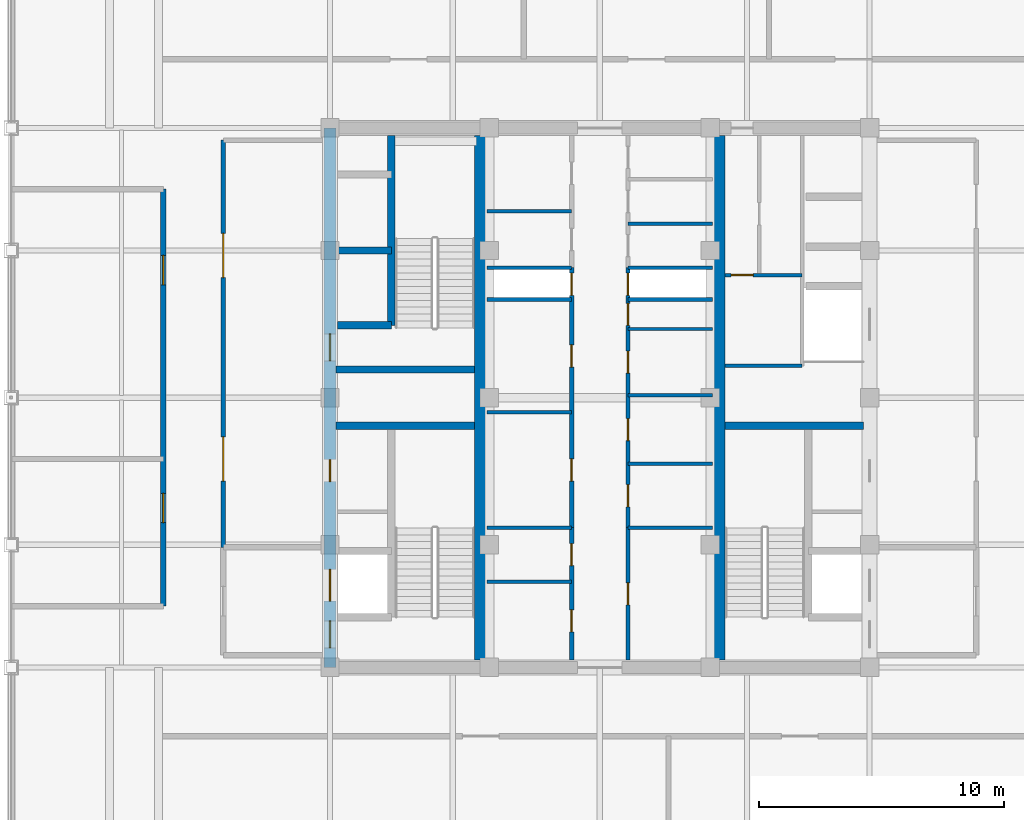
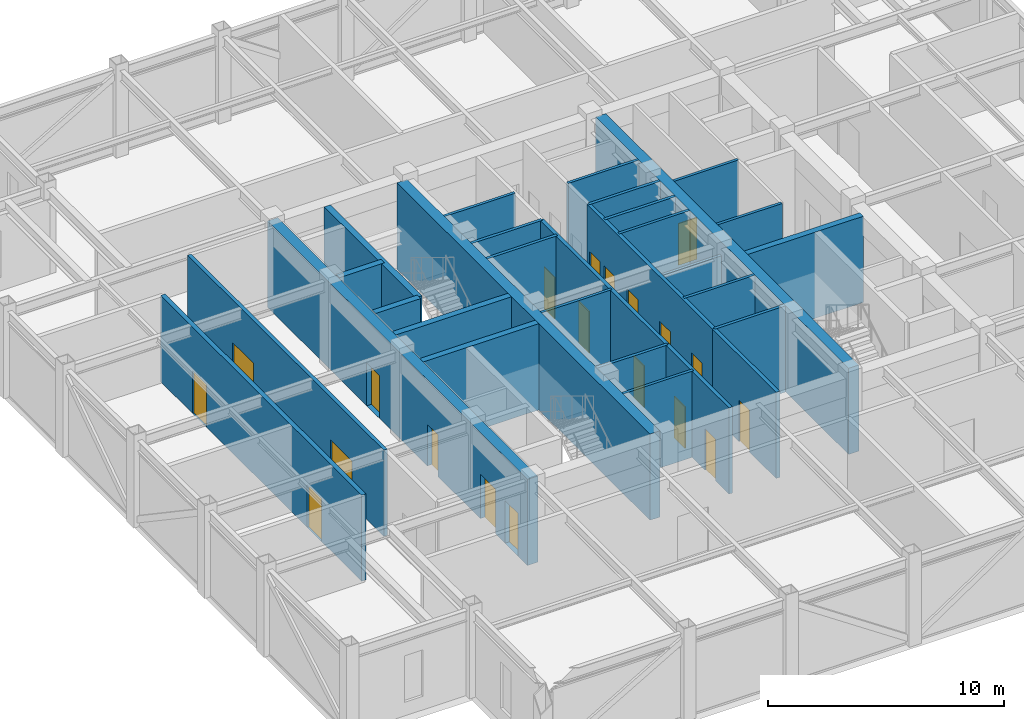
# One storey, part 24 of 27: 30 walls, 20 doors, 20 openings.
"""IFC4 building model written with IfcOpenShell, lengths in metres."""

from ifc_helpers import new_model, si_unit, direction, frame, frame_2d, origin, place, context, subcontext, project, spatial, rectangle, extrude, source, transform, mapped, material, layer, layer_set, type_object, element, fill, save


model = new_model("IFC4")

# Units and contexts
model_context = context("Model", 3, precision=1e-05, world=origin(), true_north=direction((0.0, 1.0)))
body_context = subcontext(model_context, "Body", "Model", "MODEL_VIEW")
ifc_project = project(units=[si_unit("LENGTHUNIT", "METRE"), si_unit("AREAUNIT", "SQUARE_METRE"), si_unit("VOLUMEUNIT", "CUBIC_METRE"), si_unit("PLANEANGLEUNIT", "RADIAN"), si_unit("MASSUNIT", "GRAM", prefix="KILO")], contexts=[model_context])

# Site, building, storey
site_placement = place(None, origin())
site = spatial("IfcSite", under=ifc_project, at=site_placement, CompositionType="ELEMENT")
building_placement = place(site_placement, origin())
building = spatial("IfcBuilding", under=site, at=building_placement, Name="Khorayat Bourse Tower", CompositionType="ELEMENT")
storey_placement = place(building_placement, frame((0.0, 0.0, 394.699951171875)))
storey = spatial("IfcBuildingStorey", under=building, at=storey_placement, Name="L93", CompositionType="ELEMENT", Elevation=394.699951171875)

# Wall, openings, doors
ifc_material_1 = material(Name="Concrete C52/65", Category="concrete")
ifc_layer_1 = layer(ifc_material_1, 0.5)
ifc_layer_set_1 = layer_set([ifc_layer_1], Name="Concrete C52/65")
wall_type_1 = type_object("IfcWallType", Name="WAL-CORE-500", PredefinedType="SHEAR", material=ifc_layer_set_1)
shared_shape_1 = source(origin(), body_context, "Body", "SweptSolid", [
    extrude(rectangle(XDim=22.0, YDim=0.5, at=frame_2d((11.0, 0.0))), origin(), (0.0, 0.0, 1.0), 4.449951171875),
])
wall_1_placement = place(storey_placement, frame((-11.0, -11.0, 0.0), z_axis=(0.0, 0.0, 1.0), x_axis=(0.0, 1.0, 0.0)))
wall_1 = element("IfcWall", 1, at=wall_1_placement, inside=storey, type_object=wall_type_1, Name="L93 Core Shear Wall CORE-W", PredefinedType="SHEAR", context=body_context, shape_type="MappedRepresentation", body=[
    mapped(shared_shape_1, transform((0.0, 0.0, 0.0), scale=1.0)),
])
shared_shape_2 = source(origin(), body_context, "Body", "SweptSolid", [
    extrude(rectangle(XDim=1.10009765625, YDim=2.199951171875, at=frame_2d((0.550048828125, 1.10009765625))), frame((0.0, 0.260009765625, 0.0), z_axis=(0.0, -1.0, 0.0), x_axis=(1.0, 0.0, 0.0)), (0.0, 0.0, 1.0), 0.52001953125),
])
opening_1_placement = place(wall_1_placement, frame((0.800048828125, 0.0, 0.0)))
opening_1 = element("IfcOpeningElement", 2, at=opening_1_placement, cuts=wall_1, Name="Opening DI-01", PredefinedType="OPENING", context=body_context, shape_type="MappedRepresentation", body=[
    mapped(shared_shape_2, transform((0.0, 0.0, 0.0), scale=1.0)),
])
opening_2_placement = place(wall_1_placement, frame((12.5, 0.0, 0.0)))
opening_2 = element("IfcOpeningElement", 3, at=opening_2_placement, cuts=wall_1, Name="Opening DI-01", PredefinedType="OPENING", context=body_context, shape_type="MappedRepresentation", body=[
    mapped(shared_shape_2, transform((0.0, 0.0, 0.0), scale=1.0)),
])
shared_shape_3 = source(origin(), body_context, "Body", "SweptSolid", [
    extrude(rectangle(XDim=0.89990234375, YDim=2.14990234375, at=frame_2d((0.449951171875, 1.074951171875))), frame((0.0, 0.260009765625, 0.0), z_axis=(0.0, -1.0, 0.0), x_axis=(1.0, 0.0, 0.0)), (0.0, 0.0, 1.0), 0.52001953125),
])
opening_3_placement = place(wall_1_placement, frame((7.574951171875, 0.0, 0.0)))
opening_3 = element("IfcOpeningElement", 4, at=opening_3_placement, cuts=wall_1, Name="Opening DI-06", PredefinedType="OPENING", context=body_context, shape_type="MappedRepresentation", body=[
    mapped(shared_shape_3, transform((0.0, 0.0, 0.0), scale=1.0)),
])
shared_shape_4 = source(origin(), body_context, "Body", "SweptSolid", [
    extrude(rectangle(XDim=1.300048828125, YDim=2.300048828125, at=frame_2d((0.64990234375, 1.14990234375))), frame((0.0, 0.260009765625, 0.0), z_axis=(0.0, -1.0, 0.0), x_axis=(1.0, 0.0, 0.0)), (0.0, 0.0, 1.0), 0.52001953125),
])
opening_4_placement = place(wall_1_placement, frame((2.699951171875, 0.0, 0.0)))
opening_4 = element("IfcOpeningElement", 5, at=opening_4_placement, cuts=wall_1, Name="Opening LD-02", PredefinedType="OPENING", context=body_context, shape_type="MappedRepresentation", body=[
    mapped(shared_shape_4, transform((0.0, 0.0, 0.0), scale=1.0)),
])
ifc_material_2 = material(Name="Fire-rated steel acoustic leaf", Category="steel")
door_type_1 = type_object("IfcDoorType", Name="DR-INT-STAIR-1100", OperationType="NOTDEFINED", PredefinedType="DOOR", material=ifc_material_2)
shared_shape_5 = source(origin(), body_context, "Body", "SweptSolid", [
    extrude(rectangle(XDim=1.10009765625, YDim=2.199951171875, at=frame_2d((0.550048828125, 1.10009765625))), frame((0.0, 0.02490234375, 0.0), z_axis=(0.0, -1.0, 0.0), x_axis=(1.0, 0.0, 0.0)), (0.0, 0.0, 1.0), 0.050048828125),
])
door_1_placement = place(opening_1_placement, origin())
door_1 = element("IfcDoor", 6, at=door_1_placement, inside=storey, type_object=door_type_1, Name="L93 Exit Stair 1 Door", OperationType="SINGLE_SWING_RIGHT", OverallHeight=2.199951171875, OverallWidth=1.10009765625, PredefinedType="DOOR", context=body_context, shape_type="MappedRepresentation", body=[
    mapped(shared_shape_5, transform((0.0, 0.0, 0.0), scale=1.0)),
])
fill(opening_1, door_1)
door_2_placement = place(opening_2_placement, origin())
door_2 = element("IfcDoor", 7, at=door_2_placement, inside=storey, type_object=door_type_1, Name="L93 Exit Stair 2 Door", OperationType="SINGLE_SWING_RIGHT", OverallHeight=2.199951171875, OverallWidth=1.10009765625, PredefinedType="DOOR", context=body_context, shape_type="MappedRepresentation", body=[
    mapped(shared_shape_5, transform((0.0, 0.0, 0.0), scale=1.0)),
])
fill(opening_2, door_2)
ifc_material_3 = material(Name="Moisture-resistant laminate washroom door")
door_type_2 = type_object("IfcDoorType", Name="DR-INT-WC-900", OperationType="NOTDEFINED", PredefinedType="DOOR", material=ifc_material_3)
shared_shape_6 = source(origin(), body_context, "Body", "SweptSolid", [
    extrude(rectangle(XDim=0.89990234375, YDim=2.14990234375, at=frame_2d((0.449951171875, 1.074951171875))), frame((0.0, 0.02490234375, 0.0), z_axis=(0.0, -1.0, 0.0), x_axis=(1.0, 0.0, 0.0)), (0.0, 0.0, 1.0), 0.050048828125),
])
door_3_placement = place(opening_3_placement, origin())
door_3 = element("IfcDoor", 8, at=door_3_placement, inside=storey, type_object=door_type_2, Name="L93 UPS Switch Plant Room Door", OperationType="SINGLE_SWING_RIGHT", OverallHeight=2.14990234375, OverallWidth=0.89990234375, PredefinedType="DOOR", context=body_context, shape_type="MappedRepresentation", body=[
    mapped(shared_shape_6, transform((0.0, 0.0, 0.0), scale=1.0)),
])
fill(opening_3, door_3)
ifc_material_4 = material(Name="Fire-rated stainless-steel sliding landing door", Category="steel")
door_type_3 = type_object("IfcDoorType", Name="DR-LIFT-FF-1300", OperationType="NOTDEFINED", PredefinedType="DOOR", material=ifc_material_4)
shared_shape_7 = source(origin(), body_context, "Body", "SweptSolid", [
    extrude(rectangle(XDim=1.300048828125, YDim=2.300048828125, at=frame_2d((0.64990234375, 1.14990234375))), frame((0.0, 0.02490234375, 0.0), z_axis=(0.0, -1.0, 0.0), x_axis=(1.0, 0.0, 0.0)), (0.0, 0.0, 1.0), 0.050048828125),
])
door_4_placement = place(opening_4_placement, origin())
door_4 = element("IfcDoor", 9, at=door_4_placement, inside=storey, type_object=door_type_3, Name="L93 Lift FFL-01 Sliding Landing Door", OperationType="SLIDING_TO_LEFT", OverallHeight=2.300048828125, OverallWidth=1.300048828125, PredefinedType="DOOR", context=body_context, shape_type="MappedRepresentation", body=[
    mapped(shared_shape_7, transform((0.0, 0.0, 0.0), scale=1.0)),
])
fill(opening_4, door_4)

# Walls
shared_shape_8 = source(origin(), body_context, "Body", "SweptSolid", [
    extrude(rectangle(XDim=21.39990234375, YDim=0.5, at=frame_2d((10.699951171875, 0.0))), origin(), (0.0, 0.0, 1.0), 4.449951171875),
])
for number, where, z_axis, x_axis, name in (
    (10, (-4.85009765625, -10.699951171875, 0.0), (0.0, 0.0, 1.0), (0.0, 1.0, 0.0), "L93 Core Shear Wall PIER-W"),
    (11, (4.85009765625, -10.699951171875, 0.0), (0.0, 0.0, 1.0), (0.0, 1.0, 0.0), "L93 Core Shear Wall PIER-E"),
):
    element("IfcWall", number, at=place(storey_placement, frame(where, z_axis=z_axis, x_axis=x_axis)), inside=storey, type_object=wall_type_1, Name=name, PredefinedType="SHEAR", context=body_context, shape_type="MappedRepresentation", body=[
        mapped(shared_shape_8, transform((0.0, 0.0, 0.0), scale=1.0)),
    ])
ifc_material_5 = material(Name="Concrete C50/60", Category="concrete")
ifc_layer_2 = layer(ifc_material_5, 0.300048828125)
ifc_layer_set_2 = layer_set([ifc_layer_2], Name="Concrete C50/60")
wall_type_2 = type_object("IfcWallType", Name="WAL-SHAFT-300", PredefinedType="SHEAR", material=ifc_layer_set_2)
shared_shape_9 = source(origin(), body_context, "Body", "SweptSolid", [
    extrude(rectangle(XDim=5.64990234375, YDim=0.300048828125, at=frame_2d((2.824951171875, 0.0))), origin(), (0.0, 0.0, 1.0), 4.449951171875),
])
for number, where, z_axis, x_axis, name in (
    (12, (-10.75, -1.14990234375, 0.0), (0.0, 0.0, 1.0), (1.0, 0.0, 0.0), "L93 Core Shear Wall ST1-DIV"),
    (13, (-10.75, 1.14990234375, 0.0), (0.0, 0.0, 1.0), (1.0, 0.0, 0.0), "L93 Core Shear Wall ST2-DIV"),
    (14, (5.10009765625, -1.14990234375, 0.0), (0.0, 0.0, 1.0), (1.0, 0.0, 0.0), "L93 Core Shear Wall ST3-DIV"),
):
    element("IfcWall", number, at=place(storey_placement, frame(where, z_axis=z_axis, x_axis=x_axis)), inside=storey, type_object=wall_type_2, Name=name, PredefinedType="SHEAR", context=body_context, shape_type="MappedRepresentation", body=[
        mapped(shared_shape_9, transform((0.0, 0.0, 0.0), scale=1.0)),
    ])
shared_shape_10 = source(origin(), body_context, "Body", "SweptSolid", [
    extrude(rectangle(XDim=2.199951171875, YDim=0.300048828125, at=frame_2d((1.10009765625, 0.0))), origin(), (0.0, 0.0, 1.0), 4.449951171875),
])
for number, where, z_axis, x_axis, name in (
    (15, (-10.699951171875, 2.949951171875, 0.0), (0.0, 0.0, 1.0), (1.0, 0.0, 0.0), "L93 Partition WAL-L93-WPIER-H1S"),
    (16, (-10.699951171875, 6.0, 0.0), (0.0, 0.0, 1.0), (1.0, 0.0, 0.0), "L93 Partition WAL-L93-WPIER-H12"),
):
    element("IfcWall", number, at=place(storey_placement, frame(where, z_axis=z_axis, x_axis=x_axis)), inside=storey, type_object=wall_type_2, Name=name, PredefinedType="SHEAR", context=body_context, shape_type="MappedRepresentation", body=[
        mapped(shared_shape_10, transform((0.0, 0.0, 0.0), scale=1.0)),
    ])
shared_shape_11 = source(origin(), body_context, "Body", "SweptSolid", [
    extrude(rectangle(XDim=7.75, YDim=0.300048828125, at=frame_2d((3.875, 0.0))), origin(), (0.0, 0.0, 1.0), 4.449951171875),
])
wall_2_placement = place(storey_placement, frame((-8.5, 2.949951171875, 0.0), z_axis=(0.0, 0.0, 1.0), x_axis=(0.0, 1.0, 0.0)))
element("IfcWall", 17, at=wall_2_placement, inside=storey, type_object=wall_type_2, Name="L93 Partition WAL-L93-WPIER-ST2S", PredefinedType="SHEAR", context=body_context, shape_type="MappedRepresentation", body=[
    mapped(shared_shape_11, transform((0.0, 0.0, 0.0), scale=1.0)),
])
ifc_material_6 = material(Name="Moisture-resistant masonry partition", Category="masonry")
ifc_layer_3 = layer(ifc_material_6, 0.139892578125)
ifc_layer_set_3 = layer_set([ifc_layer_3], Name="Moisture-resistant masonry partition")
wall_type_3 = type_object("IfcWallType", Name="WAL-PART-WET-140", PredefinedType="PARTITIONING", material=ifc_layer_set_3)
shared_shape_12 = source(origin(), body_context, "Body", "SweptSolid", [
    extrude(rectangle(XDim=3.14990234375, YDim=0.139892578125, at=frame_2d((1.574951171875, 0.0))), origin(), (0.0, 0.0, 1.0), 4.449951171875),
])
wall_3_placement = place(storey_placement, frame((5.10009765625, 1.300048828125, 0.0), z_axis=(0.0, 0.0, 1.0), x_axis=(1.0, 0.0, 0.0)))
element("IfcWall", 18, at=wall_3_placement, inside=storey, type_object=wall_type_3, Name="L93 Partition WAL-L93-ECORE-S", PredefinedType="PARTITIONING", context=body_context, shape_type="MappedRepresentation", body=[
    mapped(shared_shape_12, transform((0.0, 0.0, 0.0), scale=1.0)),
])

# Wall, opening, door
wall_4_placement = place(storey_placement, frame((5.10009765625, 5.0, 0.0), z_axis=(0.0, 0.0, 1.0), x_axis=(1.0, 0.0, 0.0)))
wall_4 = element("IfcWall", 19, at=wall_4_placement, inside=storey, type_object=wall_type_3, Name="L93 Partition WAL-L93-ECW-BOT", PredefinedType="PARTITIONING", context=body_context, shape_type="MappedRepresentation", body=[
    mapped(shared_shape_12, transform((0.0, 0.0, 0.0), scale=1.0)),
])
shared_shape_13 = source(origin(), body_context, "Body", "SweptSolid", [
    extrude(rectangle(XDim=0.89990234375, YDim=2.14990234375, at=frame_2d((0.449951171875, 1.074951171875))), frame((0.0, 0.079833984375, 0.0), z_axis=(0.0, -1.0, 0.0), x_axis=(1.0, 0.0, 0.0)), (0.0, 0.0, 1.0), 0.159912109375),
])
opening_5_placement = place(wall_4_placement, frame((0.25, 0.0, 0.0)))
opening_5 = element("IfcOpeningElement", 20, at=opening_5_placement, cuts=wall_4, Name="Opening DI-06", PredefinedType="OPENING", context=body_context, shape_type="MappedRepresentation", body=[
    mapped(shared_shape_13, transform((0.0, 0.0, 0.0), scale=1.0)),
])
door_5_placement = place(opening_5_placement, origin())
door_5 = element("IfcDoor", 21, at=door_5_placement, inside=storey, type_object=door_type_2, Name="L93 Shared Washroom Door", OperationType="SINGLE_SWING_LEFT", OverallHeight=2.14990234375, OverallWidth=0.89990234375, PredefinedType="DOOR", context=body_context, shape_type="MappedRepresentation", body=[
    mapped(shared_shape_6, transform((0.0, 0.0, 0.0), scale=1.0)),
])
fill(opening_5, door_5)

# Wall, openings, doors
ifc_material_7 = material(Name="Gypsum plasterboard acoustic stud wall")
ifc_layer_4 = layer(ifc_material_7, 0.179931640625)
ifc_layer_set_4 = layer_set([ifc_layer_4], Name="Gypsum plasterboard acoustic stud wall")
wall_type_4 = type_object("IfcWallType", Name="WAL-PART-CORR-180", PredefinedType="PARTITIONING", material=ifc_layer_set_4)
shared_shape_14 = source(origin(), body_context, "Body", "SweptSolid", [
    extrude(rectangle(XDim=16.60009765625, YDim=0.179931640625, at=frame_2d((8.300048828125, 0.0))), origin(), (0.0, 0.0, 1.0), 4.449951171875),
])
wall_5_placement = place(storey_placement, frame((-15.35009765625, -6.10009765625, 0.0), z_axis=(0.0, 0.0, 1.0), x_axis=(0.0, 1.0, 0.0)))
wall_5 = element("IfcWall", 22, at=wall_5_placement, inside=storey, type_object=wall_type_4, Name="L93 Partition WAL-L93-WLOB-W", PredefinedType="PARTITIONING", context=body_context, shape_type="MappedRepresentation", body=[
    mapped(shared_shape_14, transform((0.0, 0.0, 0.0), scale=1.0)),
])
shared_shape_15 = source(origin(), body_context, "Body", "SweptSolid", [
    extrude(rectangle(XDim=1.800048828125, YDim=2.25, at=frame_2d((0.89990234375, 1.125))), frame((0.0, 0.099853515625, 0.0), z_axis=(0.0, -1.0, 0.0), x_axis=(1.0, 0.0, 0.0)), (0.0, 0.0, 1.0), 0.199951171875),
])
opening_6_placement = place(wall_5_placement, frame((2.699951171875, 0.0, 0.0)))
opening_6 = element("IfcOpeningElement", 23, at=opening_6_placement, cuts=wall_5, Name="Opening DI-03", PredefinedType="OPENING", context=body_context, shape_type="MappedRepresentation", body=[
    mapped(shared_shape_15, transform((0.0, 0.0, 0.0), scale=1.0)),
])
opening_7_placement = place(wall_5_placement, frame((11.0, 0.0, 0.0)))
opening_7 = element("IfcOpeningElement", 24, at=opening_7_placement, cuts=wall_5, Name="Opening DI-03", PredefinedType="OPENING", context=body_context, shape_type="MappedRepresentation", body=[
    mapped(shared_shape_15, transform((0.0, 0.0, 0.0), scale=1.0)),
])
ifc_material_8 = material(Name="Fire-rated hardwood vision-panel double leaf", Category="wood")
door_type_4 = type_object("IfcDoorType", Name="DR-INT-CORR-1800", OperationType="NOTDEFINED", PredefinedType="DOOR", material=ifc_material_8)
shared_shape_16 = source(origin(), body_context, "Body", "SweptSolid", [
    extrude(rectangle(XDim=1.800048828125, YDim=2.25, at=frame_2d((0.89990234375, 1.125))), frame((0.0, 0.02490234375, 0.0), z_axis=(0.0, -1.0, 0.0), x_axis=(1.0, 0.0, 0.0)), (0.0, 0.0, 1.0), 0.050048828125),
])
door_6_placement = place(opening_6_placement, origin())
door_6 = element("IfcDoor", 25, at=door_6_placement, inside=storey, type_object=door_type_4, Name="L93 West Core Lobby South Door", OperationType="SINGLE_SWING_LEFT", OverallHeight=2.25, OverallWidth=1.800048828125, PredefinedType="DOOR", context=body_context, shape_type="MappedRepresentation", body=[
    mapped(shared_shape_16, transform((0.0, 0.0, 0.0), scale=1.0)),
])
fill(opening_6, door_6)
door_7_placement = place(opening_7_placement, origin())
door_7 = element("IfcDoor", 26, at=door_7_placement, inside=storey, type_object=door_type_4, Name="L93 West Core Lobby North Door", OperationType="SINGLE_SWING_RIGHT", OverallHeight=2.25, OverallWidth=1.800048828125, PredefinedType="DOOR", context=body_context, shape_type="MappedRepresentation", body=[
    mapped(shared_shape_16, transform((0.0, 0.0, 0.0), scale=1.0)),
])
fill(opening_7, door_7)

# Walls
ifc_material_9 = material(Name="Gypsum plasterboard twin-frame partition")
ifc_layer_5 = layer(ifc_material_9, 0.14990234375)
ifc_layer_set_5 = layer_set([ifc_layer_5], Name="Gypsum plasterboard twin-frame partition")
wall_type_5 = type_object("IfcWallType", Name="WAL-PART-SUITE-150", PredefinedType="PARTITIONING", material=ifc_layer_set_5)
shared_shape_17 = source(origin(), body_context, "Body", "SweptSolid", [
    extrude(rectangle(XDim=3.4501953125, YDim=0.14990234375, at=frame_2d((1.72509765625, 0.0))), origin(), (0.0, 0.0, 1.0), 4.449951171875),
])
for number, where, z_axis, x_axis, name in (
    (27, (-4.60009765625, 4.0, 0.0), (0.0, 0.0, 1.0), (1.0, 0.0, 0.0), "L93 Partition WAL-L93-CRSW-S"),
    (28, (1.14990234375, 4.0, 0.0), (0.0, 0.0, 1.0), (1.0, 0.0, 0.0), "L93 Partition WAL-L93-CRSE-S"),
    (29, (-4.60009765625, -5.300048828125, 0.0), (0.0, 0.0, 1.0), (1.0, 0.0, 0.0), "L93 Partition WAL-L93-FB1-NW"),
    (30, (1.14990234375, -5.300048828125, 0.0), (0.0, 0.0, 1.0), (1.0, 0.0, 0.0), "L93 Partition WAL-L93-FB1-NE"),
    (31, (-4.60009765625, 5.300048828125, 0.0), (0.0, 0.0, 1.0), (1.0, 0.0, 0.0), "L93 Partition WAL-L93-FB2-SW"),
    (32, (1.14990234375, 5.300048828125, 0.0), (0.0, 0.0, 1.0), (1.0, 0.0, 0.0), "L93 Partition WAL-L93-FB2-SE"),
):
    element("IfcWall", number, at=place(storey_placement, frame(where, z_axis=z_axis, x_axis=x_axis)), inside=storey, type_object=wall_type_5, Name=name, PredefinedType="PARTITIONING", context=body_context, shape_type="MappedRepresentation", body=[
        mapped(shared_shape_17, transform((0.0, 0.0, 0.0), scale=1.0)),
    ])
shared_shape_18 = source(origin(), body_context, "Body", "SweptSolid", [
    extrude(rectangle(XDim=3.4501953125, YDim=0.139892578125, at=frame_2d((1.72509765625, 0.0))), origin(), (0.0, 0.0, 1.0), 4.449951171875),
])
for number, where, z_axis, x_axis, name in (
    (33, (-4.60009765625, -7.5, 0.0), (0.0, 0.0, 1.0), (1.0, 0.0, 0.0), "L93 Partition WAL-L93-FB1W-D1"),
    (34, (-4.60009765625, 7.60009765625, 0.0), (0.0, 0.0, 1.0), (1.0, 0.0, 0.0), "L93 Partition WAL-L93-FB2W-D1"),
    (35, (1.14990234375, 7.10009765625, 0.0), (0.0, 0.0, 1.0), (1.0, 0.0, 0.0), "L93 Partition WAL-L93-FB2E-D1"),
    (36, (-4.60009765625, -0.60009765625, 0.0), (0.0, 0.0, 1.0), (1.0, 0.0, 0.0), "L93 Partition WAL-L93-CMW-D1"),
    (37, (1.14990234375, -2.699951171875, 0.0), (0.0, 0.0, 1.0), (1.0, 0.0, 0.0), "L93 Partition WAL-L93-CME-D1"),
    (38, (1.14990234375, 2.800048828125, 0.0), (0.0, 0.0, 1.0), (1.0, 0.0, 0.0), "L93 Partition WAL-L93-CME-D3"),
):
    element("IfcWall", number, at=place(storey_placement, frame(where, z_axis=z_axis, x_axis=x_axis)), inside=storey, type_object=wall_type_3, Name=name, PredefinedType="PARTITIONING", context=body_context, shape_type="MappedRepresentation", body=[
        mapped(shared_shape_18, transform((0.0, 0.0, 0.0), scale=1.0)),
    ])

# Wall, openings, doors
shared_shape_19 = source(origin(), body_context, "Body", "SweptSolid", [
    extrude(rectangle(XDim=5.39990234375, YDim=0.179931640625, at=frame_2d((2.699951171875, 0.0))), origin(), (0.0, 0.0, 1.0), 4.449951171875),
])
wall_6_placement = place(storey_placement, frame((-1.14990234375, -10.699951171875, 0.0), z_axis=(0.0, 0.0, 1.0), x_axis=(0.0, 1.0, 0.0)))
wall_6 = element("IfcWall", 39, at=wall_6_placement, inside=storey, type_object=wall_type_4, Name="L93 Partition WAL-L93-FB1W-L", PredefinedType="PARTITIONING", context=body_context, shape_type="MappedRepresentation", body=[
    mapped(shared_shape_19, transform((0.0, 0.0, 0.0), scale=1.0)),
])
shared_shape_20 = source(origin(), body_context, "Body", "SweptSolid", [
    extrude(rectangle(XDim=0.89990234375, YDim=2.14990234375, at=frame_2d((0.449951171875, 1.074951171875))), frame((0.0, 0.099853515625, 0.0), z_axis=(0.0, -1.0, 0.0), x_axis=(1.0, 0.0, 0.0)), (0.0, 0.0, 1.0), 0.199951171875),
])
opening_8_placement = place(wall_6_placement, frame((1.14990234375, 0.0, 0.0)))
opening_8 = element("IfcOpeningElement", 40, at=opening_8_placement, cuts=wall_6, Name="Opening DI-06", PredefinedType="OPENING", context=body_context, shape_type="MappedRepresentation", body=[
    mapped(shared_shape_20, transform((0.0, 0.0, 0.0), scale=1.0)),
])
opening_9_placement = place(wall_6_placement, frame((3.85009765625, 0.0, 0.0)))
opening_9 = element("IfcOpeningElement", 41, at=opening_9_placement, cuts=wall_6, Name="Opening DI-06", PredefinedType="OPENING", context=body_context, shape_type="MappedRepresentation", body=[
    mapped(shared_shape_20, transform((0.0, 0.0, 0.0), scale=1.0)),
])
door_8_placement = place(opening_8_placement, origin())
door_8 = element("IfcDoor", 42, at=door_8_placement, inside=storey, type_object=door_type_2, Name="L93 Records Vault Store Door", OperationType="SINGLE_SWING_RIGHT", OverallHeight=2.14990234375, OverallWidth=0.89990234375, PredefinedType="DOOR", context=body_context, shape_type="MappedRepresentation", body=[
    mapped(shared_shape_6, transform((0.0, 0.0, 0.0), scale=1.0)),
])
fill(opening_8, door_8)
door_9_placement = place(opening_9_placement, origin())
door_9 = element("IfcDoor", 43, at=door_9_placement, inside=storey, type_object=door_type_2, Name="L93 Sprinkler Valve Plant Room Door", OperationType="SINGLE_SWING_LEFT", OverallHeight=2.14990234375, OverallWidth=0.89990234375, PredefinedType="DOOR", context=body_context, shape_type="MappedRepresentation", body=[
    mapped(shared_shape_6, transform((0.0, 0.0, 0.0), scale=1.0)),
])
fill(opening_9, door_9)

# Wall, opening, door
wall_7_placement = place(storey_placement, frame((1.14990234375, -10.699951171875, 0.0), z_axis=(0.0, 0.0, 1.0), x_axis=(0.0, 1.0, 0.0)))
wall_7 = element("IfcWall", 44, at=wall_7_placement, inside=storey, type_object=wall_type_4, Name="L93 Partition WAL-L93-FB1E-L", PredefinedType="PARTITIONING", context=body_context, shape_type="MappedRepresentation", body=[
    mapped(shared_shape_19, transform((0.0, 0.0, 0.0), scale=1.0)),
])
opening_10_placement = place(wall_7_placement, frame((2.25, 0.0, 0.0)))
opening_10 = element("IfcOpeningElement", 45, at=opening_10_placement, cuts=wall_7, Name="Opening DI-06", PredefinedType="OPENING", context=body_context, shape_type="MappedRepresentation", body=[
    mapped(shared_shape_20, transform((0.0, 0.0, 0.0), scale=1.0)),
])
door_10_placement = place(opening_10_placement, origin())
door_10 = element("IfcDoor", 46, at=door_10_placement, inside=storey, type_object=door_type_2, Name="L93 Telemetry Server Plant Room Door", OperationType="SINGLE_SWING_RIGHT", OverallHeight=2.14990234375, OverallWidth=0.89990234375, PredefinedType="DOOR", context=body_context, shape_type="MappedRepresentation", body=[
    mapped(shared_shape_6, transform((0.0, 0.0, 0.0), scale=1.0)),
])
fill(opening_10, door_10)

# Wall, openings, doors
shared_shape_21 = source(origin(), body_context, "Body", "SweptSolid", [
    extrude(rectangle(XDim=10.60009765625, YDim=0.179931640625, at=frame_2d((5.300048828125, 0.0))), origin(), (0.0, 0.0, 1.0), 4.449951171875),
])
wall_8_placement = place(storey_placement, frame((-1.14990234375, -5.300048828125, 0.0), z_axis=(0.0, 0.0, 1.0), x_axis=(0.0, 1.0, 0.0)))
wall_8 = element("IfcWall", 47, at=wall_8_placement, inside=storey, type_object=wall_type_4, Name="L93 Partition WAL-L93-CMW-L", PredefinedType="PARTITIONING", context=body_context, shape_type="MappedRepresentation", body=[
    mapped(shared_shape_21, transform((0.0, 0.0, 0.0), scale=1.0)),
])
opening_11_placement = place(wall_8_placement, frame((1.89990234375, 0.0, 0.0)))
opening_11 = element("IfcOpeningElement", 48, at=opening_11_placement, cuts=wall_8, Name="Opening DI-06", PredefinedType="OPENING", context=body_context, shape_type="MappedRepresentation", body=[
    mapped(shared_shape_20, transform((0.0, 0.0, 0.0), scale=1.0)),
])
opening_12_placement = place(wall_8_placement, frame((6.550048828125, 0.0, 0.0)))
opening_12 = element("IfcOpeningElement", 49, at=opening_12_placement, cuts=wall_8, Name="Opening DI-06", PredefinedType="OPENING", context=body_context, shape_type="MappedRepresentation", body=[
    mapped(shared_shape_20, transform((0.0, 0.0, 0.0), scale=1.0)),
])
opening_13_placement = place(wall_8_placement, frame((9.47509765625, 0.0, 0.0)))
opening_13 = element("IfcOpeningElement", 50, at=opening_13_placement, cuts=wall_8, Name="Opening DI-06", PredefinedType="OPENING", context=body_context, shape_type="MappedRepresentation", body=[
    mapped(shared_shape_20, transform((0.0, 0.0, 0.0), scale=1.0)),
])
door_11_placement = place(opening_11_placement, origin())
door_11 = element("IfcDoor", 51, at=door_11_placement, inside=storey, type_object=door_type_2, Name="L93 Male Core Washroom Door", OperationType="SINGLE_SWING_RIGHT", OverallHeight=2.14990234375, OverallWidth=0.89990234375, PredefinedType="DOOR", context=body_context, shape_type="MappedRepresentation", body=[
    mapped(shared_shape_6, transform((0.0, 0.0, 0.0), scale=1.0)),
])
fill(opening_11, door_11)
door_12_placement = place(opening_12_placement, origin())
door_12 = element("IfcDoor", 52, at=door_12_placement, inside=storey, type_object=door_type_2, Name="L93 Chilled Water Riser Plant Room Door", OperationType="SINGLE_SWING_LEFT", OverallHeight=2.14990234375, OverallWidth=0.89990234375, PredefinedType="DOOR", context=body_context, shape_type="MappedRepresentation", body=[
    mapped(shared_shape_6, transform((0.0, 0.0, 0.0), scale=1.0)),
])
fill(opening_12, door_12)
door_13_placement = place(opening_13_placement, origin())
door_13 = element("IfcDoor", 53, at=door_13_placement, inside=storey, type_object=door_type_2, Name="L93 West Core Riser Door", OperationType="SINGLE_SWING_LEFT", OverallHeight=2.14990234375, OverallWidth=0.89990234375, PredefinedType="DOOR", context=body_context, shape_type="MappedRepresentation", body=[
    mapped(shared_shape_6, transform((0.0, 0.0, 0.0), scale=1.0)),
])
fill(opening_13, door_13)

wall_9_placement = place(storey_placement, frame((1.14990234375, -5.300048828125, 0.0), z_axis=(0.0, 0.0, 1.0), x_axis=(0.0, 1.0, 0.0)))
wall_9 = element("IfcWall", 54, at=wall_9_placement, inside=storey, type_object=wall_type_4, Name="L93 Partition WAL-L93-CME-L", PredefinedType="PARTITIONING", context=body_context, shape_type="MappedRepresentation", body=[
    mapped(shared_shape_21, transform((0.0, 0.0, 0.0), scale=1.0)),
])
opening_14_placement = place(wall_9_placement, frame((0.85009765625, 0.0, 0.0)))
opening_14 = element("IfcOpeningElement", 55, at=opening_14_placement, cuts=wall_9, Name="Opening DI-06", PredefinedType="OPENING", context=body_context, shape_type="MappedRepresentation", body=[
    mapped(shared_shape_20, transform((0.0, 0.0, 0.0), scale=1.0)),
])
opening_15_placement = place(wall_9_placement, frame((3.550048828125, 0.0, 0.0)))
opening_15 = element("IfcOpeningElement", 56, at=opening_15_placement, cuts=wall_9, Name="Opening DI-06", PredefinedType="OPENING", context=body_context, shape_type="MappedRepresentation", body=[
    mapped(shared_shape_20, transform((0.0, 0.0, 0.0), scale=1.0)),
])
opening_16_placement = place(wall_9_placement, frame((6.300048828125, 0.0, 0.0)))
opening_16 = element("IfcOpeningElement", 57, at=opening_16_placement, cuts=wall_9, Name="Opening DI-06", PredefinedType="OPENING", context=body_context, shape_type="MappedRepresentation", body=[
    mapped(shared_shape_20, transform((0.0, 0.0, 0.0), scale=1.0)),
])
opening_17_placement = place(wall_9_placement, frame((8.25, 0.0, 0.0)))
opening_17 = element("IfcOpeningElement", 58, at=opening_17_placement, cuts=wall_9, Name="Opening DI-06", PredefinedType="OPENING", context=body_context, shape_type="MappedRepresentation", body=[
    mapped(shared_shape_20, transform((0.0, 0.0, 0.0), scale=1.0)),
])
opening_18_placement = place(wall_9_placement, frame((9.47509765625, 0.0, 0.0)))
opening_18 = element("IfcOpeningElement", 59, at=opening_18_placement, cuts=wall_9, Name="Opening DI-06", PredefinedType="OPENING", context=body_context, shape_type="MappedRepresentation", body=[
    mapped(shared_shape_20, transform((0.0, 0.0, 0.0), scale=1.0)),
])
door_14_placement = place(opening_14_placement, origin())
door_14 = element("IfcDoor", 60, at=door_14_placement, inside=storey, type_object=door_type_2, Name="L93 Female Core Washroom Door", OperationType="SINGLE_SWING_RIGHT", OverallHeight=2.14990234375, OverallWidth=0.89990234375, PredefinedType="DOOR", context=body_context, shape_type="MappedRepresentation", body=[
    mapped(shared_shape_6, transform((0.0, 0.0, 0.0), scale=1.0)),
])
fill(opening_14, door_14)
door_15_placement = place(opening_15_placement, origin())
door_15 = element("IfcDoor", 61, at=door_15_placement, inside=storey, type_object=door_type_2, Name="L93 Comms Patch Room Door", OperationType="SINGLE_SWING_LEFT", OverallHeight=2.14990234375, OverallWidth=0.89990234375, PredefinedType="DOOR", context=body_context, shape_type="MappedRepresentation", body=[
    mapped(shared_shape_6, transform((0.0, 0.0, 0.0), scale=1.0)),
])
fill(opening_15, door_15)
door_16_placement = place(opening_16_placement, origin())
door_16 = element("IfcDoor", 62, at=door_16_placement, inside=storey, type_object=door_type_2, Name="L93 Janitor Cupboard Door", OperationType="SINGLE_SWING_RIGHT", OverallHeight=2.14990234375, OverallWidth=0.89990234375, PredefinedType="DOOR", context=body_context, shape_type="MappedRepresentation", body=[
    mapped(shared_shape_6, transform((0.0, 0.0, 0.0), scale=1.0)),
])
fill(opening_16, door_16)
door_17_placement = place(opening_17_placement, origin())
door_17 = element("IfcDoor", 63, at=door_17_placement, inside=storey, type_object=door_type_2, Name="L93 Fire Valve Plant Room Door", OperationType="SINGLE_SWING_LEFT", OverallHeight=2.14990234375, OverallWidth=0.89990234375, PredefinedType="DOOR", context=body_context, shape_type="MappedRepresentation", body=[
    mapped(shared_shape_6, transform((0.0, 0.0, 0.0), scale=1.0)),
])
fill(opening_17, door_17)
door_18_placement = place(opening_18_placement, origin())
door_18 = element("IfcDoor", 64, at=door_18_placement, inside=storey, type_object=door_type_2, Name="L93 East Core Riser Door", OperationType="SINGLE_SWING_RIGHT", OverallHeight=2.14990234375, OverallWidth=0.89990234375, PredefinedType="DOOR", context=body_context, shape_type="MappedRepresentation", body=[
    mapped(shared_shape_6, transform((0.0, 0.0, 0.0), scale=1.0)),
])
fill(opening_18, door_18)

ifc_material_10 = material(Name="Aerated concrete blockwork", Category="masonry")
ifc_layer_6 = layer(ifc_material_10, 0.219970703125)
ifc_layer_set_6 = layer_set([ifc_layer_6], Name="Aerated concrete blockwork")
wall_type_6 = type_object("IfcWallType", Name="WAL-PART-FF-220", PredefinedType="PARTITIONING", material=ifc_layer_set_6)
shared_shape_22 = source(origin(), body_context, "Body", "SweptSolid", [
    extrude(rectangle(XDim=17.0, YDim=0.219970703125, at=frame_2d((8.5, 0.0))), origin(), (0.0, 0.0, 1.0), 4.449951171875),
])
wall_10_placement = place(storey_placement, frame((-17.800048828125, -8.5, 0.0), z_axis=(0.0, 0.0, 1.0), x_axis=(0.0, 1.0, 0.0)))
wall_10 = element("IfcWall", 65, at=wall_10_placement, inside=storey, type_object=wall_type_6, Name="L93 Partition WAL-L93-PLW-E", PredefinedType="PARTITIONING", context=body_context, shape_type="MappedRepresentation", body=[
    mapped(shared_shape_22, transform((0.0, 0.0, 0.0), scale=1.0)),
])
shared_shape_23 = source(origin(), body_context, "Body", "SweptSolid", [
    extrude(rectangle(XDim=1.199951171875, YDim=2.199951171875, at=frame_2d((0.60009765625, 1.10009765625))), frame((0.0, 0.119873046875, 0.0), z_axis=(0.0, -1.0, 0.0), x_axis=(1.0, 0.0, 0.0)), (0.0, 0.0, 1.0), 0.239990234375),
])
opening_19_placement = place(wall_10_placement, frame((3.39990234375, 0.0, 0.0)))
opening_19 = element("IfcOpeningElement", 66, at=opening_19_placement, cuts=wall_10, Name="Opening DI-02", PredefinedType="OPENING", context=body_context, shape_type="MappedRepresentation", body=[
    mapped(shared_shape_23, transform((0.0, 0.0, 0.0), scale=1.0)),
])
opening_20_placement = place(wall_10_placement, frame((13.10009765625, 0.0, 0.0)))
opening_20 = element("IfcOpeningElement", 67, at=opening_20_placement, cuts=wall_10, Name="Opening DI-02", PredefinedType="OPENING", context=body_context, shape_type="MappedRepresentation", body=[
    mapped(shared_shape_23, transform((0.0, 0.0, 0.0), scale=1.0)),
])
ifc_material_11 = material(Name="Fire-rated steel double-seal leaf", Category="steel")
door_type_5 = type_object("IfcDoorType", Name="DR-INT-FFLOBBY-1200", OperationType="NOTDEFINED", PredefinedType="DOOR", material=ifc_material_11)
shared_shape_24 = source(origin(), body_context, "Body", "SweptSolid", [
    extrude(rectangle(XDim=1.199951171875, YDim=2.199951171875, at=frame_2d((0.60009765625, 1.10009765625))), frame((0.0, 0.02490234375, 0.0), z_axis=(0.0, -1.0, 0.0), x_axis=(1.0, 0.0, 0.0)), (0.0, 0.0, 1.0), 0.050048828125),
])
door_19_placement = place(opening_19_placement, origin())
door_19 = element("IfcDoor", 68, at=door_19_placement, inside=storey, type_object=door_type_5, Name="L93 Heat Recovery Plant South Door", OperationType="SINGLE_SWING_LEFT", OverallHeight=2.199951171875, OverallWidth=1.199951171875, PredefinedType="DOOR", context=body_context, shape_type="MappedRepresentation", body=[
    mapped(shared_shape_24, transform((0.0, 0.0, 0.0), scale=1.0)),
])
fill(opening_19, door_19)
door_20_placement = place(opening_20_placement, origin())
door_20 = element("IfcDoor", 69, at=door_20_placement, inside=storey, type_object=door_type_5, Name="L93 Lighting Control Door", OperationType="SINGLE_SWING_RIGHT", OverallHeight=2.199951171875, OverallWidth=1.199951171875, PredefinedType="DOOR", context=body_context, shape_type="MappedRepresentation", body=[
    mapped(shared_shape_24, transform((0.0, 0.0, 0.0), scale=1.0)),
])
fill(opening_20, door_20)

# Wall
shared_shape_25 = source(origin(), body_context, "Body", "SweptSolid", [
    extrude(rectangle(XDim=3.4501953125, YDim=0.139892578125, at=frame_2d((1.72509765625, 0.0))), origin(), (0.0, 0.0, 1.0), 3.755126953125),
])
wall_11_placement = place(storey_placement, frame((1.14990234375, 0.10009765625, 0.0), z_axis=(0.0, 0.0, 1.0), x_axis=(1.0, 0.0, 0.0)))
element("IfcWall", 70, at=wall_11_placement, inside=storey, type_object=wall_type_3, Name="L93 Partition WAL-L93-CME-D2", PredefinedType="PARTITIONING", context=body_context, shape_type="MappedRepresentation", body=[
    mapped(shared_shape_25, transform((0.0, 0.0, 0.0), scale=1.0)),
])

save(model, "model.ifc")
